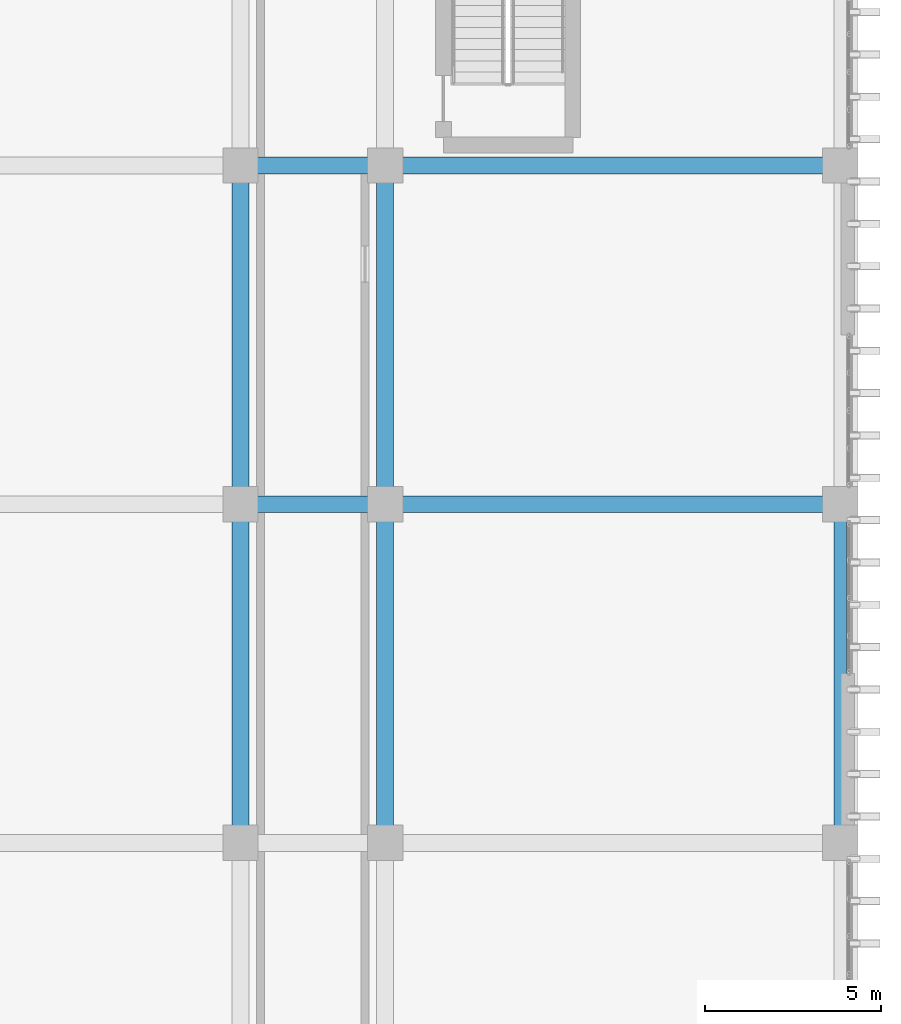
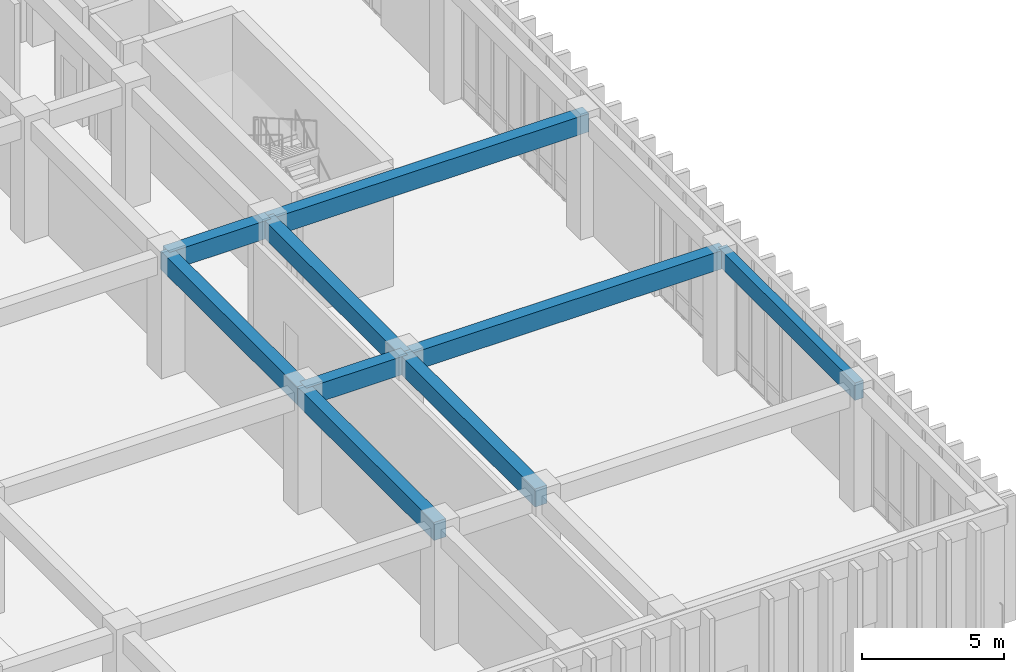
# One storey, part 61 of 134: 9 beams.
"""IFC4 building model written with IfcOpenShell, lengths in metres."""

import ifcopenshell
import ifcopenshell.guid

model = None  # the IFC model being written
_history = None  # IfcOwnerHistory: only IFC2X3 demands one
_inside = {}  # id of a spatial element -> (the spatial element, [elements in it])
_under = {}  # id of a project, library or spatial element -> (it, [spatial elements below it])
_declared = {}  # id of a project -> (the project, [libraries it declares])
_typed = {}  # id of a type object -> (the type object, [elements of that type])
_made_of = {}  # id of a material, layer set ... -> (it, [elements and type objects made of it])


def new_model(schema):
    """Start an empty IFC model of exactly this schema.

    Asked for "IFC4X3", IfcOpenShell would pick the latest addendum, in which some entities
    have other attributes; the version numbers below select the first issue.
    IFC2X3 requires an IfcOwnerHistory on every rooted entity: one is made here for all.
    """
    global model, _history
    if schema == "IFC4X3":
        model = ifcopenshell.file(schema_version=(4, 3, 0, 0))
    else:
        model = ifcopenshell.file(schema=schema)
    _inside.clear()
    _under.clear()
    _declared.clear()
    _typed.clear()
    _made_of.clear()
    _history = None
    if model.schema == "IFC2X3":
        org = make("IfcOrganization", Name="unknown")
        user = make(
            "IfcPersonAndOrganization",
            ThePerson=make("IfcPerson", FamilyName="unknown"),
            TheOrganization=org,
        )
        app = make(
            "IfcApplication",
            ApplicationDeveloper=org,
            Version="unknown",
            ApplicationFullName="unknown",
            ApplicationIdentifier="unknown",
        )
        _history = make(
            "IfcOwnerHistory",
            OwningUser=user,
            OwningApplication=app,
            ChangeAction="ADDED",
            CreationDate=0,
        )
    return model


def make(cls, **values):
    """One entity of the class cls with the attributes given. An attribute that is None is left unset."""
    return model.create_entity(
        cls, **{name: value for name, value in values.items() if value is not None}
    )


def rooted(cls, **values):
    """An entity with a GlobalId (a new one), such as an element, a storey or a relation."""
    return make(cls, GlobalId=ifcopenshell.guid.new(), OwnerHistory=_history, **values)


def si_unit(unit_type, name, prefix=None):
    """IfcSIUnit, for example si_unit("LENGTHUNIT", "METRE", prefix="MILLI")."""
    return make("IfcSIUnit", UnitType=unit_type, Prefix=prefix, Name=name)


def assignment(units):
    """IfcUnitAssignment: the units of a project."""
    return None if units is None else make("IfcUnitAssignment", Units=units)


def point(xyz):
    """IfcCartesianPoint."""
    return None if xyz is None else make("IfcCartesianPoint", Coordinates=xyz)


def direction(xyz):
    """IfcDirection."""
    return None if xyz is None else make("IfcDirection", DirectionRatios=xyz)


def frame(location, z_axis=None, x_axis=None):
    """IfcAxis2Placement3D, a coordinate frame: its origin and axes. An axis left out is left unset."""
    return make(
        "IfcAxis2Placement3D",
        Location=point(location),
        Axis=direction(z_axis),
        RefDirection=direction(x_axis),
    )


def frame_2d(location, x_axis=None):
    """IfcAxis2Placement2D, a coordinate frame in the plane: its origin and x axis."""
    return make(
        "IfcAxis2Placement2D", Location=point(location), RefDirection=direction(x_axis)
    )


def origin():
    """The frame at (0, 0, 0) with its axes left unset."""
    return frame((0.0, 0.0, 0.0))


def origin_2d():
    """The frame at (0, 0) in the plane with its x axis left unset."""
    return frame_2d((0.0, 0.0))


def place(relative_to, where):
    """IfcLocalPlacement: puts the frame where relative to a parent placement (None: the world)."""
    return make(
        "IfcLocalPlacement", PlacementRelTo=relative_to, RelativePlacement=where
    )


def context(
    kind, dimensions, precision=None, world=None, true_north=None, identifier=None
):
    """IfcGeometricRepresentationContext, for example the 3D "Model" context."""
    return make(
        "IfcGeometricRepresentationContext",
        ContextIdentifier=identifier,
        ContextType=kind,
        CoordinateSpaceDimension=dimensions,
        Precision=precision,
        WorldCoordinateSystem=world,
        TrueNorth=true_north,
    )


def subcontext(parent, identifier, kind, view, scale=None):
    """IfcGeometricRepresentationSubContext, for example "Body" below "Model"."""
    return make(
        "IfcGeometricRepresentationSubContext",
        ContextIdentifier=identifier,
        ContextType=kind,
        ParentContext=parent,
        TargetScale=scale,
        TargetView=view,
    )


def project(units=None, contexts=None):
    """IfcProject with its units and contexts."""
    return rooted(
        "IfcProject",
        Name="project",
        RepresentationContexts=contexts,
        UnitsInContext=assignment(units),
    )


def spatial(cls, under=None, at=None, **own):
    """A site, building, storey or space (cls), placed at a placement, below another one or the project."""
    s = rooted(cls, ObjectPlacement=at, **own)
    if under is not None:
        _under.setdefault(under.id(), (under, []))[1].append(s)
    return s


def profile(cls, at=None, kind="AREA", **sizes):
    """A parametric profile (cls). Its sizes go by their IFC names, for example OverallWidth=200.0."""
    return make(cls, ProfileType=kind, Position=at, **sizes)


def rectangle(**sizes):
    """IfcRectangleProfileDef."""
    return profile("IfcRectangleProfileDef", **sizes)


def extrude(swept, where, along, depth):
    """IfcExtrudedAreaSolid: the profile swept, set in the frame where, extruded along a direction by depth."""
    return make(
        "IfcExtrudedAreaSolid",
        SweptArea=swept,
        Position=where,
        ExtrudedDirection=direction(along),
        Depth=depth,
    )


def shape(context_of_items, identifier, shape_type, items):
    """IfcShapeRepresentation: the items that make up one representation, for example the "Body"."""
    return make(
        "IfcShapeRepresentation",
        ContextOfItems=context_of_items,
        RepresentationIdentifier=identifier,
        RepresentationType=shape_type,
        Items=items,
    )


def material(Name=None, Category=None):
    """IfcMaterial."""
    return make("IfcMaterial", Name=Name, Category=Category)


def material_profile(
    of_material, cross_section, Name=None, Category=None, Priority=None
):
    """IfcMaterialProfile: a cross section and its material."""
    return make(
        "IfcMaterialProfile",
        Name=Name,
        Material=of_material,
        Profile=cross_section,
        Priority=Priority,
        Category=Category,
    )


def profile_set(profiles, Name=None, composite=None):
    """IfcMaterialProfileSet."""
    return make(
        "IfcMaterialProfileSet",
        Name=Name,
        MaterialProfiles=profiles,
        CompositeProfile=composite,
    )


def made_of(thing, what):
    """Note that an element or type object is made of a material, layer set ...; save() writes the relation."""
    if what is not None:
        _made_of.setdefault(what.id(), (what, []))[1].append(thing)
    return thing


def type_object(cls, material=None, **own):
    """A type object (cls), such as IfcWallType, which elements share."""
    return made_of(rooted(cls, **own), material)


def element(
    cls,
    number,
    at=None,
    inside=None,
    cuts=None,
    type_object=None,
    material=None,
    context=None,
    identifier="Body",
    shape_type=None,
    held_by="IfcProductDefinitionShape",
    body=None,
    shapes=None,
    **own,
):
    """One element of the class cls, such as IfcWall. Its Tag is "e" and its number.

    at: its placement. inside: the storey or other place that contains it. cuts: it is an
    opening in that element (IfcRelVoidsElement). A single representation is given by context,
    identifier, shape_type and body (its items); several are given by shapes. held_by: the class
    of the entity that holds the representations. save() writes the other relations.
    """
    e = rooted(cls, Tag="e%d" % number, ObjectPlacement=at, **own)
    if body is not None:
        shapes = [shape(context, identifier, shape_type, body)]
    if shapes is not None:
        e.Representation = make(held_by, Representations=shapes)
    if inside is not None:
        _inside.setdefault(inside.id(), (inside, []))[1].append(e)
    if cuts is not None:
        rooted(
            "IfcRelVoidsElement", RelatingBuildingElement=cuts, RelatedOpeningElement=e
        )
    if type_object is not None:
        _typed.setdefault(type_object.id(), (type_object, []))[1].append(e)
    return made_of(e, material)


def aggregate(whole, parts):
    """IfcRelAggregates: a whole, such as a stair, and the parts it consists of."""
    return rooted("IfcRelAggregates", RelatingObject=whole, RelatedObjects=parts)


def save(model, path):
    """Write the relations noted so far, then the file.

    IfcRelAggregates (storeys below a building ...), IfcRelContainedInSpatialStructure (elements
    in a storey), IfcRelDefinesByType, IfcRelAssociatesMaterial and IfcRelDeclares: one each for
    every whole, place, type object, material and project.
    """
    for whole, parts in _under.values():
        aggregate(whole, parts)
    for where, things in _inside.values():
        rooted(
            "IfcRelContainedInSpatialStructure",
            RelatedElements=things,
            RelatingStructure=where,
        )
    for kind, things in _typed.values():
        rooted("IfcRelDefinesByType", RelatedObjects=things, RelatingType=kind)
    for what, things in _made_of.values():
        rooted("IfcRelAssociatesMaterial", RelatedObjects=things, RelatingMaterial=what)
    for by, libraries in _declared.values():
        rooted("IfcRelDeclares", RelatingContext=by, RelatedDefinitions=libraries)
    model.write(path)


model = new_model("IFC4")

# Units and contexts
model_context = context("Model", 3, precision=1e-05, world=origin(), true_north=direction((0.0, 1.0)))
body_context = subcontext(model_context, "Body", "Model", "MODEL_VIEW")
ifc_project = project(units=[si_unit("LENGTHUNIT", "METRE"), si_unit("AREAUNIT", "SQUARE_METRE"), si_unit("VOLUMEUNIT", "CUBIC_METRE"), si_unit("PLANEANGLEUNIT", "RADIAN"), si_unit("MASSUNIT", "GRAM", prefix="KILO")], contexts=[model_context])

# Site, building, storey
site_placement = place(None, origin())
site = spatial("IfcSite", under=ifc_project, at=site_placement, CompositionType="ELEMENT")
building_placement = place(site_placement, origin())
building = spatial("IfcBuilding", under=site, at=building_placement, Name="Nakhvara Creek Congress Hotel", CompositionType="ELEMENT")
storey_placement = place(building_placement, frame((0.0, 0.0, 6.0)))
storey = spatial("IfcBuildingStorey", under=building, at=storey_placement, Name="L01", CompositionType="ELEMENT", Elevation=6.0)

# Beams
ifc_material = material(Name="Concrete C40/50", Category="concrete")
ifc_material_profile_1 = material_profile(ifc_material, rectangle(XDim=0.47998046875, YDim=0.780029296875, at=origin_2d()), Name="RC-BM 480x780", Category="LoadBearing")
ifc_profile_set_1 = profile_set([ifc_material_profile_1], Name="Concrete C40/50")
beam_type_1 = type_object("IfcBeamType", Name="BM-RC-480X780", PredefinedType="BEAM", material=ifc_profile_set_1)
beam_1_placement = place(storey_placement, frame((162.35009765625, 9.60009765625, 4.7099609375), z_axis=(0.0, 1.0, 0.0), x_axis=(-1.0, 0.0, 0.0)))
element("IfcBeam", 1, at=beam_1_placement, inside=storey, type_object=beam_type_1, Name="Beam B13-L01-1299", PredefinedType="BEAM", context=body_context, shape_type="SweptSolid", body=[
    extrude(rectangle(XDim=0.47998046875, YDim=0.780029296875, at=origin_2d()), origin(), (0.0, 0.0, 1.0), 9.599853515625),
])
beam_2_placement = place(storey_placement, frame((162.35009765625, 19.199951171875, 4.7099609375), z_axis=(0.0, 1.0, 0.0), x_axis=(-1.0, 0.0, 0.0)))
element("IfcBeam", 2, at=beam_2_placement, inside=storey, type_object=beam_type_1, Name="Beam B13-L01-1301", PredefinedType="BEAM", context=body_context, shape_type="SweptSolid", body=[
    extrude(rectangle(XDim=0.47998046875, YDim=0.780029296875, at=origin_2d()), origin(), (0.0, 0.0, 1.0), 9.60009765625),
])
for number, where, z_axis, x_axis, name in (
    (3, (162.35009765625, 19.199951171875, 4.7099609375), (1.0, 0.0, 0.0), (0.0, 1.0, 0.0), "Beam B13-L01-1302"),
    (4, (162.35009765625, 28.800048828125, 4.7099609375), (1.0, 0.0, 0.0), (0.0, 1.0, 0.0), "Beam B13-L01-1304"),
):
    element("IfcBeam", number, at=place(storey_placement, frame(where, z_axis=z_axis, x_axis=x_axis)), inside=storey, type_object=beam_type_1, Name=name, PredefinedType="BEAM", context=body_context, shape_type="SweptSolid", body=[
        extrude(rectangle(XDim=0.47998046875, YDim=0.780029296875, at=origin_2d()), origin(), (0.0, 0.0, 1.0), 4.099853515625),
    ])
beam_3_placement = place(storey_placement, frame((166.449951171875, 9.60009765625, 4.7099609375), z_axis=(0.0, 1.0, 0.0), x_axis=(-1.0, 0.0, 0.0)))
element("IfcBeam", 5, at=beam_3_placement, inside=storey, type_object=beam_type_1, Name="Beam B13-L01-1326", PredefinedType="BEAM", context=body_context, shape_type="SweptSolid", body=[
    extrude(rectangle(XDim=0.47998046875, YDim=0.780029296875, at=origin_2d()), origin(), (0.0, 0.0, 1.0), 9.599853515625),
])
beam_4_placement = place(storey_placement, frame((166.449951171875, 19.199951171875, 4.7099609375), z_axis=(0.0, 1.0, 0.0), x_axis=(-1.0, 0.0, 0.0)))
element("IfcBeam", 6, at=beam_4_placement, inside=storey, type_object=beam_type_1, Name="Beam B13-L01-1328", PredefinedType="BEAM", context=body_context, shape_type="SweptSolid", body=[
    extrude(rectangle(XDim=0.47998046875, YDim=0.780029296875, at=origin_2d()), origin(), (0.0, 0.0, 1.0), 9.60009765625),
])
for number, where, z_axis, x_axis, name in (
    (7, (166.449951171875, 19.199951171875, 4.7099609375), (1.0, 0.0, 0.0), (0.0, 1.0, 0.0), "Beam B13-L01-1329"),
    (8, (166.449951171875, 28.800048828125, 4.7099609375), (1.0, 0.0, 0.0), (0.0, 1.0, 0.0), "Beam B13-L01-1331"),
):
    element("IfcBeam", number, at=place(storey_placement, frame(where, z_axis=z_axis, x_axis=x_axis)), inside=storey, type_object=beam_type_1, Name=name, PredefinedType="BEAM", context=body_context, shape_type="SweptSolid", body=[
        extrude(rectangle(XDim=0.47998046875, YDim=0.780029296875, at=origin_2d()), origin(), (0.0, 0.0, 1.0), 12.900146484375),
    ])
ifc_material_profile_2 = material_profile(ifc_material, rectangle(XDim=0.35009765625, YDim=0.75, at=origin_2d()), Name="RC-SPANDREL 350x750", Category="LoadBearing")
ifc_profile_set_2 = profile_set([ifc_material_profile_2], Name="Concrete C40/50")
beam_type_2 = type_object("IfcBeamType", Name="BM-SPN-350X750", PredefinedType="SPANDREL", material=ifc_profile_set_2)
beam_5_placement = place(storey_placement, frame((179.35009765625, 9.60009765625, 4.72509765625), z_axis=(0.0, 1.0, 0.0), x_axis=(-1.0, 0.0, 0.0)))
element("IfcBeam", 9, at=beam_5_placement, inside=storey, type_object=beam_type_2, Name="Beam SP1-L01-1350", PredefinedType="SPANDREL", context=body_context, shape_type="SweptSolid", body=[
    extrude(rectangle(XDim=0.35009765625, YDim=0.75, at=origin_2d()), origin(), (0.0, 0.0, 1.0), 9.599853515625),
])

save(model, "model.ifc")
